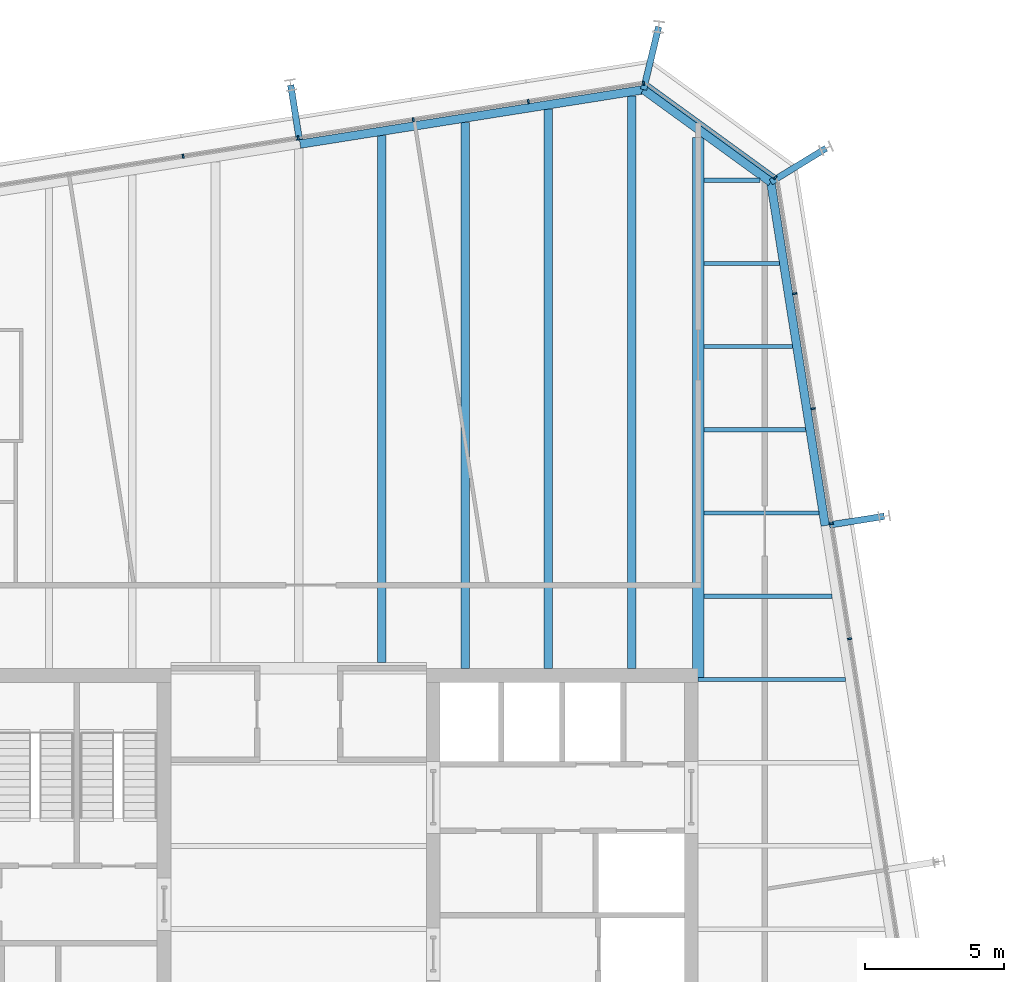
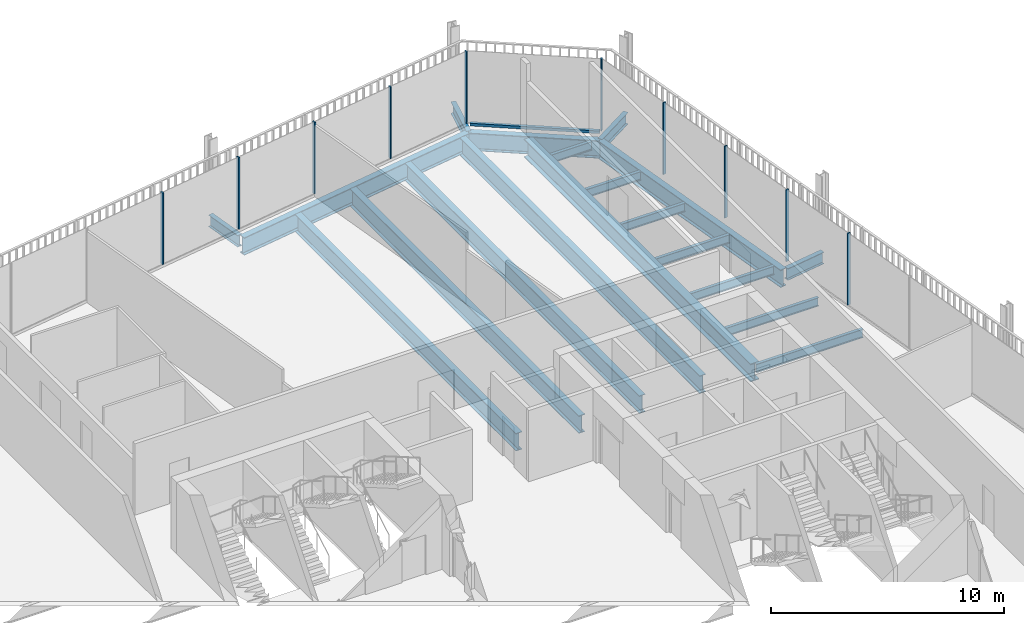
# One storey, part 14 of 20: 19 beams, 11 members, 3 elements without a shape of their own.
"""IFC4 building model written with IfcOpenShell, lengths in metres."""

from ifc_helpers import new_model, si_unit, direction, frame, origin, origin_2d, place, context, subcontext, project, spatial, rectangle, i_section, extrude, material, layer, layer_set, material_profile, profile_set, type_object, element, aggregate, save


model = new_model("IFC4")

# Units and contexts
model_context = context("Model", 3, precision=1e-05, world=origin(), true_north=direction((0.0, 1.0)))
body_context = subcontext(model_context, "Body", "Model", "MODEL_VIEW")
ifc_project = project(units=[si_unit("LENGTHUNIT", "METRE"), si_unit("AREAUNIT", "SQUARE_METRE"), si_unit("VOLUMEUNIT", "CUBIC_METRE"), si_unit("PLANEANGLEUNIT", "RADIAN"), si_unit("MASSUNIT", "GRAM", prefix="KILO")], contexts=[model_context])

# Site, building, storey
site_placement = place(None, origin())
site = spatial("IfcSite", under=ifc_project, at=site_placement, CompositionType="ELEMENT")
building_placement = place(site_placement, origin())
building = spatial("IfcBuilding", under=site, at=building_placement, Name="Millrace Tower", CompositionType="ELEMENT")
storey_placement = place(building_placement, frame((0.0, 0.0, 232.0)))
storey = spatial("IfcBuildingStorey", under=building, at=storey_placement, Name="L53", CompositionType="ELEMENT", Elevation=232.0)

# Curtain wall, members
ifc_material_1 = material(Name="Aluminium and glass", Category="aluminium")
ifc_layer = layer(ifc_material_1, 0.14990234375)
ifc_layer_set = layer_set([ifc_layer], Name="Aluminium and glass")
curtain_wall_type = type_object("IfcCurtainWallType", Name="CW-1 office vision curtain wall", PredefinedType="NOTDEFINED", material=ifc_layer_set)
placement = place(storey_placement, origin())
curtain_wall_1 = element("IfcCurtainWall", 1, at=placement, inside=storey, type_object=curtain_wall_type, Name="Curtain wall D-F04 L53", PredefinedType="NOTDEFINED")
ifc_material_2 = material(Name="Aluminium", Category="aluminium")
ifc_material_profile_1 = material_profile(ifc_material_2, rectangle(XDim=0.06494140625, YDim=0.14990234375, at=origin_2d()))
ifc_profile_set_1 = profile_set([ifc_material_profile_1], Name="Aluminium")
member_type_1 = type_object("IfcMemberType", Name="CW-1 office vision curtain wall mullion", PredefinedType="MULLION", material=ifc_profile_set_1)
member_1_placement = place(storey_placement, frame((19.857421875, 10.466064453125, 0.139892578125), z_axis=(0.0, 0.0, 1.0), x_axis=(-0.156434471884, 0.987688339511, 0.0)))
member_1 = element("IfcMember", 2, at=member_1_placement, type_object=member_type_1, Name="CW1 mullion D-F04.6", PredefinedType="MULLION", context=body_context, shape_type="SweptSolid", body=[
    extrude(rectangle(XDim=0.06494140625, YDim=0.14990234375, at=origin_2d()), origin(), (0.0, 0.0, 1.0), 3.760009765625),
])
member_2_placement = place(storey_placement, frame((19.2001953125, 14.6142578125, 0.139892578125), z_axis=(0.0, 0.0, 1.0), x_axis=(-0.156434471884, 0.987688339511, 0.0)))
member_2 = element("IfcMember", 3, at=member_2_placement, type_object=member_type_1, Name="CW1 mullion D-F04.7", PredefinedType="MULLION", context=body_context, shape_type="SweptSolid", body=[
    extrude(rectangle(XDim=0.06494140625, YDim=0.14990234375, at=origin_2d()), origin(), (0.0, 0.0, 1.0), 3.760009765625),
])
member_3_placement = place(storey_placement, frame((18.543212890625, 18.762451171875, 0.139892578125), z_axis=(0.0, 0.0, 1.0), x_axis=(-0.156434471884, 0.987688339511, 0.0)))
member_3 = element("IfcMember", 4, at=member_3_placement, type_object=member_type_1, Name="CW1 mullion D-F04.8", PredefinedType="MULLION", context=body_context, shape_type="SweptSolid", body=[
    extrude(rectangle(XDim=0.06494140625, YDim=0.14990234375, at=origin_2d()), origin(), (0.0, 0.0, 1.0), 3.760009765625),
])
member_4_placement = place(storey_placement, frame((17.88623046875, 22.910888671875, 0.139892578125), z_axis=(0.0, 0.0, 1.0), x_axis=(-0.156434471884, 0.987688339511, 0.0)))
member_4 = element("IfcMember", 5, at=member_4_placement, type_object=member_type_1, Name="CW1 mullion D-F04.9", PredefinedType="MULLION", context=body_context, shape_type="SweptSolid", body=[
    extrude(rectangle(XDim=0.06494140625, YDim=0.14990234375, at=origin_2d()), origin(), (0.0, 0.0, 1.0), 3.760009765625),
])
aggregate(curtain_wall_1, [member_1, member_2, member_3, member_4])

# Curtain wall, member
curtain_wall_2 = element("IfcCurtainWall", 6, at=placement, inside=storey, type_object=curtain_wall_type, Name="Curtain wall D-F05 L53", PredefinedType="NOTDEFINED")
member_5_placement = place(storey_placement, frame((17.177978515625, 27.094970703125, 0.139892578125), z_axis=(0.0, 0.0, 1.0), x_axis=(-0.809016955361, 0.587785305991, 0.0)))
member_5 = element("IfcMember", 7, at=member_5_placement, type_object=member_type_1, Name="CW1 mullion D-F05.1", PredefinedType="MULLION", context=body_context, shape_type="SweptSolid", body=[
    extrude(rectangle(XDim=0.06494140625, YDim=0.14990234375, at=origin_2d()), origin(), (0.0, 0.0, 1.0), 3.760009765625),
])

# Curtain wall, members
curtain_wall_3 = element("IfcCurtainWall", 8, at=placement, inside=storey, type_object=curtain_wall_type, Name="Curtain wall D-F06 L53", PredefinedType="NOTDEFINED")
member_6_placement = place(storey_placement, frame((12.425537109375, 30.492431640625, 0.139892578125), z_axis=(0.0, 0.0, 1.0), x_axis=(-0.987688339511, -0.156434471884, 0.0)))
member_6 = element("IfcMember", 9, at=member_6_placement, type_object=member_type_1, Name="CW1 mullion D-F06.1", PredefinedType="MULLION", context=body_context, shape_type="SweptSolid", body=[
    extrude(rectangle(XDim=0.06494140625, YDim=0.14990234375, at=origin_2d()), origin(), (0.0, 0.0, 1.0), 3.760009765625),
])
member_7_placement = place(storey_placement, frame((8.277099609375, 29.83544921875, 0.139892578125), z_axis=(0.0, 0.0, 1.0), x_axis=(-0.987688339511, -0.156434471884, 0.0)))
member_7 = element("IfcMember", 10, at=member_7_placement, type_object=member_type_1, Name="CW1 mullion D-F06.2", PredefinedType="MULLION", context=body_context, shape_type="SweptSolid", body=[
    extrude(rectangle(XDim=0.06494140625, YDim=0.14990234375, at=origin_2d()), origin(), (0.0, 0.0, 1.0), 3.760009765625),
])
member_8_placement = place(storey_placement, frame((4.12890625, 29.178466796875, 0.139892578125), z_axis=(0.0, 0.0, 1.0), x_axis=(-0.987688339511, -0.156434471884, 0.0)))
member_8 = element("IfcMember", 11, at=member_8_placement, type_object=member_type_1, Name="CW1 mullion D-F06.3", PredefinedType="MULLION", context=body_context, shape_type="SweptSolid", body=[
    extrude(rectangle(XDim=0.06494140625, YDim=0.14990234375, at=origin_2d()), origin(), (0.0, 0.0, 1.0), 3.760009765625),
])
member_9_placement = place(storey_placement, frame((-0.019287109375, 28.521240234375, 0.139892578125), z_axis=(0.0, 0.0, 1.0), x_axis=(-0.987688339511, -0.156434471884, 0.0)))
member_9 = element("IfcMember", 12, at=member_9_placement, type_object=member_type_1, Name="CW1 mullion D-F06.4", PredefinedType="MULLION", context=body_context, shape_type="SweptSolid", body=[
    extrude(rectangle(XDim=0.06494140625, YDim=0.14990234375, at=origin_2d()), origin(), (0.0, 0.0, 1.0), 3.760009765625),
])
member_10_placement = place(storey_placement, frame((-4.167724609375, 27.8642578125, 0.139892578125), z_axis=(0.0, 0.0, 1.0), x_axis=(-0.987688339511, -0.156434471884, 0.0)))
member_10 = element("IfcMember", 13, at=member_10_placement, type_object=member_type_1, Name="CW1 mullion D-F06.5", PredefinedType="MULLION", context=body_context, shape_type="SweptSolid", body=[
    extrude(rectangle(XDim=0.06494140625, YDim=0.14990234375, at=origin_2d()), origin(), (0.0, 0.0, 1.0), 3.760009765625),
])
aggregate(curtain_wall_3, [member_6, member_7, member_8, member_9, member_10])

# Member
ifc_material_3 = material(Name="Aluminium", Category="aluminium")
ifc_material_profile_2 = material_profile(ifc_material_3, rectangle(XDim=0.14990234375, YDim=0.139892578125, at=origin_2d()))
ifc_profile_set_2 = profile_set([ifc_material_profile_2], Name="Aluminium")
member_type_2 = type_object("IfcMemberType", Name="CW-1 office vision curtain wall transom", PredefinedType="USERDEFINED", material=ifc_profile_set_2)
member_11_placement = place(storey_placement, frame((17.123291015625, 27.134765625, 0.070068359375), z_axis=(-0.809018869857, 0.587782670904, 0.0), x_axis=(-0.587782670904, -0.809018869857, 0.0)))
member_11 = element("IfcMember", 14, at=member_11_placement, type_object=member_type_2, Name="CW1 transom D-F05.1", ObjectType="TRANSOM", PredefinedType="USERDEFINED", context=body_context, shape_type="SweptSolid", body=[
    extrude(rectangle(XDim=0.14990234375, YDim=0.139892578125, at=origin_2d()), origin(), (0.0, 0.0, 1.0), 5.59814453125),
])

aggregate(curtain_wall_2, [member_5, member_11])

# Beams
ifc_material_4 = material(Name="Steel ASTM A992 Grade 50", Category="steel")
ifc_material_profile_3 = material_profile(ifc_material_4, i_section(OverallWidth=0.15234375, OverallDepth=0.449462890625, WebThickness=0.007568359375, FlangeThickness=0.0107421875, FilletRadius=0.01025390625, at=origin_2d()))
ifc_profile_set_3 = profile_set([ifc_material_profile_3], Name="Steel ASTM A992 Grade 50")
beam_type_1 = type_object("IfcBeamType", Name="Floor beam W18x35", PredefinedType="JOIST", material=ifc_profile_set_3)
beam_1_placement = place(storey_placement, frame((14.39990234375, 9.0, -0.384765625), z_axis=(1.0, 0.0, 0.0), x_axis=(0.0, 1.0, 0.0)))
element("IfcBeam", 15, at=beam_1_placement, inside=storey, type_object=beam_type_1, Name="BM-D-L53-S1-S024", PredefinedType="JOIST", context=body_context, shape_type="SweptSolid", body=[
    extrude(i_section(OverallWidth=0.15234375, OverallDepth=0.449462890625, WebThickness=0.007568359375, FlangeThickness=0.0107421875, FilletRadius=0.01025390625, at=origin_2d()), origin(), (0.0, 0.0, 1.0), 5.302490234375),
])
beam_2_placement = place(storey_placement, frame((14.609619140625, 12.0, -0.384765625), z_axis=(1.0, 0.0, 0.0), x_axis=(0.0, 1.0, 0.0)))
element("IfcBeam", 16, at=beam_2_placement, inside=storey, type_object=beam_type_1, Name="BM-D-L53-S1-S026", PredefinedType="JOIST", context=body_context, shape_type="SweptSolid", body=[
    extrude(i_section(OverallWidth=0.15234375, OverallDepth=0.449462890625, WebThickness=0.007568359375, FlangeThickness=0.0107421875, FilletRadius=0.01025390625, at=origin_2d()), origin(), (0.0, 0.0, 1.0), 4.61767578125),
])
beam_3_placement = place(storey_placement, frame((14.609619140625, 15.0, -0.384765625), z_axis=(1.0, 0.0, 0.0), x_axis=(0.0, 1.0, 0.0)))
element("IfcBeam", 17, at=beam_3_placement, inside=storey, type_object=beam_type_1, Name="BM-D-L53-S1-S028", PredefinedType="JOIST", context=body_context, shape_type="SweptSolid", body=[
    extrude(i_section(OverallWidth=0.15234375, OverallDepth=0.449462890625, WebThickness=0.007568359375, FlangeThickness=0.0107421875, FilletRadius=0.01025390625, at=origin_2d()), origin(), (0.0, 0.0, 1.0), 4.142578125),
])
beam_4_placement = place(storey_placement, frame((14.609619140625, 18.0, -0.384765625), z_axis=(1.0, 0.0, 0.0), x_axis=(0.0, 1.0, 0.0)))
element("IfcBeam", 18, at=beam_4_placement, inside=storey, type_object=beam_type_1, Name="BM-D-L53-S1-S030", PredefinedType="JOIST", context=body_context, shape_type="SweptSolid", body=[
    extrude(i_section(OverallWidth=0.15234375, OverallDepth=0.449462890625, WebThickness=0.007568359375, FlangeThickness=0.0107421875, FilletRadius=0.01025390625, at=origin_2d()), origin(), (0.0, 0.0, 1.0), 3.667236328125),
])
beam_5_placement = place(storey_placement, frame((14.609619140625, 21.0, -0.384765625), z_axis=(1.0, 0.0, 0.0), x_axis=(0.0, 1.0, 0.0)))
element("IfcBeam", 19, at=beam_5_placement, inside=storey, type_object=beam_type_1, Name="BM-D-L53-S1-S032", PredefinedType="JOIST", context=body_context, shape_type="SweptSolid", body=[
    extrude(i_section(OverallWidth=0.15234375, OverallDepth=0.449462890625, WebThickness=0.007568359375, FlangeThickness=0.0107421875, FilletRadius=0.01025390625, at=origin_2d()), origin(), (0.0, 0.0, 1.0), 3.192138671875),
])
beam_6_placement = place(storey_placement, frame((14.609619140625, 24.0, -0.384765625), z_axis=(1.0, 0.0, 0.0), x_axis=(0.0, 1.0, 0.0)))
element("IfcBeam", 20, at=beam_6_placement, inside=storey, type_object=beam_type_1, Name="BM-D-L53-S1-S034", PredefinedType="JOIST", context=body_context, shape_type="SweptSolid", body=[
    extrude(i_section(OverallWidth=0.15234375, OverallDepth=0.449462890625, WebThickness=0.007568359375, FlangeThickness=0.0107421875, FilletRadius=0.01025390625, at=origin_2d()), origin(), (0.0, 0.0, 1.0), 2.717041015625),
])
beam_7_placement = place(storey_placement, frame((14.609619140625, 27.0, -0.384765625), z_axis=(1.0, 0.0, 0.0), x_axis=(0.0, 1.0, 0.0)))
element("IfcBeam", 21, at=beam_7_placement, inside=storey, type_object=beam_type_1, Name="BM-D-L53-S1-S035", PredefinedType="JOIST", context=body_context, shape_type="SweptSolid", body=[
    extrude(i_section(OverallWidth=0.15234375, OverallDepth=0.449462890625, WebThickness=0.007568359375, FlangeThickness=0.0107421875, FilletRadius=0.01025390625, at=origin_2d()), origin(), (0.0, 0.0, 1.0), 2.020751953125),
])
ifc_material_5 = material(Name="Steel ASTM A992 Grade 50", Category="steel")
ifc_material_profile_4 = material_profile(ifc_material_5, i_section(OverallWidth=0.307373046875, OverallDepth=0.927001953125, WebThickness=0.01953125, FlangeThickness=0.031982421875, FilletRadius=0.01904296875, at=origin_2d()))
ifc_profile_set_4 = profile_set([ifc_material_profile_4], Name="Steel ASTM A992 Grade 50")
beam_type_2 = type_object("IfcBeamType", Name="Floor beam W36x194", PredefinedType="JOIST", material=ifc_profile_set_4)
beam_8_placement = place(storey_placement, frame((3.0, 9.609619140625, -0.62353515625), z_axis=(0.0, 1.0, 0.0), x_axis=(-1.0, 0.0, 0.0)))
element("IfcBeam", 22, at=beam_8_placement, inside=storey, type_object=beam_type_2, Name="BM-D-L53-S1-S046", PredefinedType="JOIST", context=body_context, shape_type="SweptSolid", body=[
    extrude(i_section(OverallWidth=0.307373046875, OverallDepth=0.927001953125, WebThickness=0.01953125, FlangeThickness=0.031982421875, FilletRadius=0.01904296875, at=origin_2d()), origin(), (0.0, 0.0, 1.0), 19.0029296875),
])
beam_9_placement = place(storey_placement, frame((6.0, 9.39990234375, -0.62353515625), z_axis=(0.0, 1.0, 0.0), x_axis=(-1.0, 0.0, 0.0)))
element("IfcBeam", 23, at=beam_9_placement, inside=storey, type_object=beam_type_2, Name="BM-D-L53-S1-S048", PredefinedType="JOIST", context=body_context, shape_type="SweptSolid", body=[
    extrude(i_section(OverallWidth=0.307373046875, OverallDepth=0.927001953125, WebThickness=0.01953125, FlangeThickness=0.031982421875, FilletRadius=0.01904296875, at=origin_2d()), origin(), (0.0, 0.0, 1.0), 19.687744140625),
])
beam_10_placement = place(storey_placement, frame((9.0, 9.39990234375, -0.62353515625), z_axis=(0.0, 1.0, 0.0), x_axis=(-1.0, 0.0, 0.0)))
element("IfcBeam", 24, at=beam_10_placement, inside=storey, type_object=beam_type_2, Name="BM-D-L53-S1-S050", PredefinedType="JOIST", context=body_context, shape_type="SweptSolid", body=[
    extrude(i_section(OverallWidth=0.307373046875, OverallDepth=0.927001953125, WebThickness=0.01953125, FlangeThickness=0.031982421875, FilletRadius=0.01904296875, at=origin_2d()), origin(), (0.0, 0.0, 1.0), 20.162841796875),
])
beam_11_placement = place(storey_placement, frame((12.0, 9.39990234375, -0.62353515625), z_axis=(0.0, 1.0, 0.0), x_axis=(-1.0, 0.0, 0.0)))
element("IfcBeam", 25, at=beam_11_placement, inside=storey, type_object=beam_type_2, Name="BM-D-L53-S1-S052", PredefinedType="JOIST", context=body_context, shape_type="SweptSolid", body=[
    extrude(i_section(OverallWidth=0.307373046875, OverallDepth=0.927001953125, WebThickness=0.01953125, FlangeThickness=0.031982421875, FilletRadius=0.01904296875, at=origin_2d()), origin(), (0.0, 0.0, 1.0), 20.637939453125),
])
ifc_material_6 = material(Name="Steel ASTM A992 Grade 50", Category="steel")
ifc_material_profile_5 = material_profile(ifc_material_6, i_section(OverallWidth=0.424072265625, OverallDepth=0.947509765625, WebThickness=0.02392578125, FlangeThickness=0.042724609375, FilletRadius=0.024169921875, at=origin_2d()))
ifc_profile_set_5 = profile_set([ifc_material_profile_5], Name="Steel ASTM A992 Grade 50")
beam_type_3 = type_object("IfcBeamType", Name="Girder medium span W36x302", PredefinedType="BEAM", material=ifc_profile_set_5)
beam_12_placement = place(storey_placement, frame((14.39990234375, 9.080078125, -0.6337890625), z_axis=(0.0, 1.0, 0.0), x_axis=(-1.0, 0.0, 0.0)))
element("IfcBeam", 26, at=beam_12_placement, inside=storey, type_object=beam_type_3, Name="BM-D-L53-S1-G056", PredefinedType="BEAM", context=body_context, shape_type="SweptSolid", body=[
    extrude(i_section(OverallWidth=0.424072265625, OverallDepth=0.947509765625, WebThickness=0.02392578125, FlangeThickness=0.042724609375, FilletRadius=0.024169921875, at=origin_2d()), origin(), (0.0, 0.0, 1.0), 19.460693359375),
])
ifc_material_7 = material(Name="Steel ASTM A992 Grade 50", Category="steel")
ifc_material_profile_6 = material_profile(ifc_material_7, i_section(OverallWidth=0.23046875, OverallDepth=0.6171875, WebThickness=0.01318359375, FlangeThickness=0.022216796875, FilletRadius=0.012939453125, at=origin_2d()))
ifc_profile_set_6 = profile_set([ifc_material_profile_6], Name="Steel ASTM A992 Grade 50")
beam_type_4 = type_object("IfcBeamType", Name="Link beam W24x94", PredefinedType="BEAM", material=ifc_profile_set_6)
beam_13_placement = place(storey_placement, frame((0.0244140625, 28.452392578125, -0.468505859375), z_axis=(-0.15637629034, 0.987697552806, 0.0), x_axis=(-0.987697552806, -0.15637629034, 0.0)))
element("IfcBeam", 27, at=beam_13_placement, inside=storey, type_object=beam_type_4, Name="LNK-D-L53-S1-07", PredefinedType="BEAM", context=body_context, shape_type="SweptSolid", body=[
    extrude(i_section(OverallWidth=0.23046875, OverallDepth=0.6171875, WebThickness=0.01318359375, FlangeThickness=0.022216796875, FilletRadius=0.012939453125, at=origin_2d()), origin(), (0.0, 0.0, 1.0), 2.0),
])
beam_14_placement = place(storey_placement, frame((12.430419921875, 30.26171875, -0.468505859375), z_axis=(0.233456138164, 0.972367333652, 0.0), x_axis=(-0.972367333652, 0.233456138164, 0.0)))
element("IfcBeam", 28, at=beam_14_placement, inside=storey, type_object=beam_type_4, Name="LNK-D-L53-S1-08", PredefinedType="BEAM", context=body_context, shape_type="SweptSolid", body=[
    extrude(i_section(OverallWidth=0.23046875, OverallDepth=0.6171875, WebThickness=0.01318359375, FlangeThickness=0.022216796875, FilletRadius=0.012939453125, at=origin_2d()), origin(), (0.0, 0.0, 1.0), 2.3310546875),
])
beam_15_placement = place(storey_placement, frame((17.018310546875, 26.928466796875, -0.468505859375), z_axis=(0.852659946142, 0.5224662824, 0.0), x_axis=(-0.5224662824, 0.852659946142, 0.0)))
element("IfcBeam", 29, at=beam_15_placement, inside=storey, type_object=beam_type_4, Name="LNK-D-L53-S1-09", PredefinedType="BEAM", context=body_context, shape_type="SweptSolid", body=[
    extrude(i_section(OverallWidth=0.23046875, OverallDepth=0.6171875, WebThickness=0.01318359375, FlangeThickness=0.022216796875, FilletRadius=0.012939453125, at=origin_2d()), origin(), (0.0, 0.0, 1.0), 2.331298828125),
])
beam_16_placement = place(storey_placement, frame((19.13134765625, 14.5703125, -0.468505859375), z_axis=(0.987678691416, 0.156495375404, 0.0), x_axis=(-0.156495375404, 0.987678691416, 0.0)))
element("IfcBeam", 30, at=beam_16_placement, inside=storey, type_object=beam_type_4, Name="LNK-D-L53-S1-10", PredefinedType="BEAM", context=body_context, shape_type="SweptSolid", body=[
    extrude(i_section(OverallWidth=0.23046875, OverallDepth=0.6171875, WebThickness=0.01318359375, FlangeThickness=0.022216796875, FilletRadius=0.012939453125, at=origin_2d()), origin(), (0.0, 0.0, 1.0), 2.0),
])
ifc_material_8 = material(Name="Steel ASTM A992 Grade 50", Category="steel")
ifc_material_profile_7 = material_profile(ifc_material_8, i_section(OverallWidth=0.307373046875, OverallDepth=0.927001953125, WebThickness=0.01953125, FlangeThickness=0.031982421875, FilletRadius=0.01904296875, at=origin_2d()))
ifc_profile_set_7 = profile_set([ifc_material_profile_7], Name="Steel ASTM A992 Grade 50")
beam_type_5 = type_object("IfcBeamType", Name="Ring beam medium span W36x194", PredefinedType="SPANDREL", material=ifc_profile_set_7)
beam_17_placement = place(storey_placement, frame((0.048583984375, 28.300537109375, -0.62353515625), z_axis=(0.987687213011, 0.156441584157, 0.0), x_axis=(-0.156441584157, 0.987687213011, 0.0)))
element("IfcBeam", 31, at=beam_17_placement, inside=storey, type_object=beam_type_5, Name="RNG-D-L53-S1-07", PredefinedType="SPANDREL", context=body_context, shape_type="SweptSolid", body=[
    extrude(i_section(OverallWidth=0.307373046875, OverallDepth=0.927001953125, WebThickness=0.01953125, FlangeThickness=0.031982421875, FilletRadius=0.01904296875, at=origin_2d()), origin(), (0.0, 0.0, 1.0), 12.5361328125),
])
beam_18_placement = place(storey_placement, frame((17.018310546875, 26.928466796875, -0.62353515625), z_axis=(0.156438575049, -0.987687689625, 0.0), x_axis=(0.987687689625, 0.156438575049, 0.0)))
element("IfcBeam", 32, at=beam_18_placement, inside=storey, type_object=beam_type_5, Name="RNG-D-L53-S1-09", PredefinedType="SPANDREL", context=body_context, shape_type="SweptSolid", body=[
    extrude(i_section(OverallWidth=0.307373046875, OverallDepth=0.927001953125, WebThickness=0.01953125, FlangeThickness=0.031982421875, FilletRadius=0.01904296875, at=origin_2d()), origin(), (0.0, 0.0, 1.0), 12.536376953125),
])
ifc_material_9 = material(Name="Steel ASTM A992 Grade 50", Category="steel")
ifc_material_profile_8 = material_profile(ifc_material_9, i_section(OverallWidth=0.307373046875, OverallDepth=0.927001953125, WebThickness=0.01953125, FlangeThickness=0.031982421875, FilletRadius=0.01904296875, at=origin_2d()))
ifc_profile_set_8 = profile_set([ifc_material_profile_8], Name="Steel ASTM A992 Grade 50")
beam_type_6 = type_object("IfcBeamType", Name="Ring beam short span W36x194", PredefinedType="SPANDREL", material=ifc_profile_set_8)
beam_19_placement = place(storey_placement, frame((12.430419921875, 30.26171875, -0.62353515625), z_axis=(0.80902082646, -0.587779977844, 0.0), x_axis=(0.587779977844, 0.80902082646, 0.0)))
element("IfcBeam", 33, at=beam_19_placement, inside=storey, type_object=beam_type_6, Name="RNG-D-L53-S1-08", PredefinedType="SPANDREL", context=body_context, shape_type="SweptSolid", body=[
    extrude(i_section(OverallWidth=0.307373046875, OverallDepth=0.927001953125, WebThickness=0.01953125, FlangeThickness=0.031982421875, FilletRadius=0.01904296875, at=origin_2d()), origin(), (0.0, 0.0, 1.0), 5.6708984375),
])

save(model, "model.ifc")
